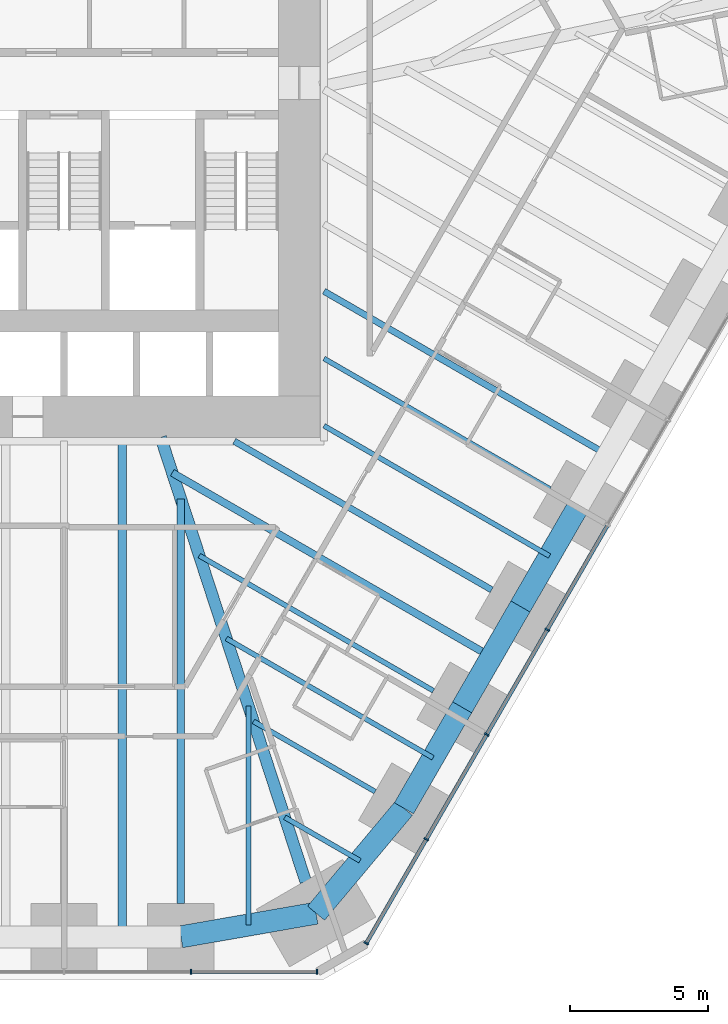
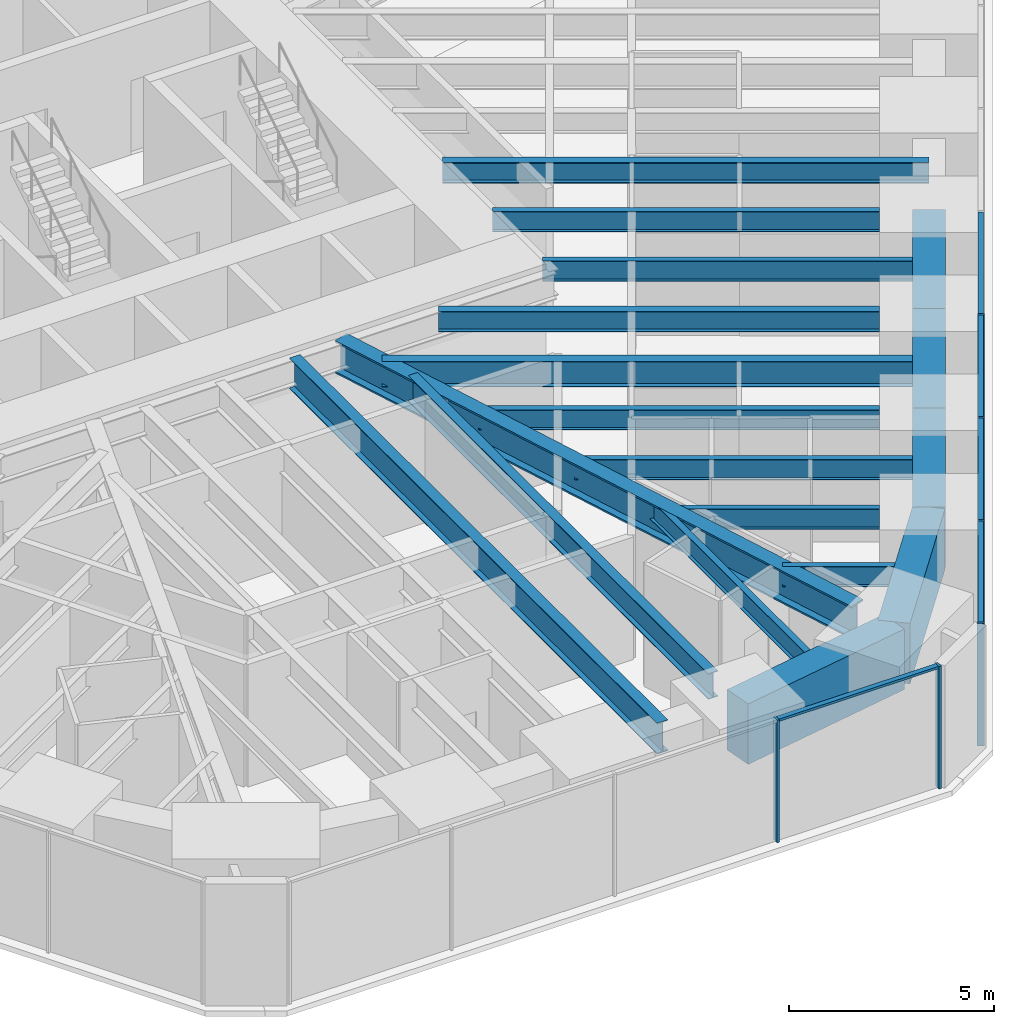
# One storey, part 5 of 17: 18 beams, 11 members, 2 elements without a shape of their own.
"""IFC4 building model written with IfcOpenShell, lengths in metres."""

from ifc_helpers import new_model, si_unit, direction, frame, origin, origin_2d, place, context, subcontext, project, spatial, rectangle, i_section, extrude, material, material_profile, profile_set, type_object, element, aggregate, save


model = new_model("IFC4")

# Units and contexts
model_context = context("Model", 3, precision=1e-05, world=origin(), true_north=direction((0.0, 1.0)))
body_context = subcontext(model_context, "Body", "Model", "MODEL_VIEW")
ifc_project = project(units=[si_unit("LENGTHUNIT", "METRE"), si_unit("AREAUNIT", "SQUARE_METRE"), si_unit("VOLUMEUNIT", "CUBIC_METRE"), si_unit("PLANEANGLEUNIT", "RADIAN"), si_unit("MASSUNIT", "GRAM", prefix="KILO")], contexts=[model_context])

# Site, building, storey
site_placement = place(None, origin())
site = spatial("IfcSite", under=ifc_project, at=site_placement, CompositionType="ELEMENT")
building_placement = place(site_placement, origin())
building = spatial("IfcBuilding", under=site, at=building_placement, Name="Sandreach Pilgrim Tower", CompositionType="ELEMENT")
storey_placement = place(building_placement, frame((0.0, 0.0, 26.800048828125)))
storey = spatial("IfcBuildingStorey", under=building, at=storey_placement, Name="L05", CompositionType="ELEMENT", Elevation=26.800048828125)

# Curtain wall, members
ifc_material_1 = material(Name="Aluminium framed curtain wall", Category="aluminium")
curtain_wall_type = type_object("IfcCurtainWallType", Name="Hostel tower curtain wall", PredefinedType="NOTDEFINED", material=ifc_material_1)
curtain_wall_1_placement = place(storey_placement, origin())
curtain_wall_1 = element("IfcCurtainWall", 1, at=curtain_wall_1_placement, inside=storey, type_object=curtain_wall_type, Name="CW-1 L05 SE", PredefinedType="NOTDEFINED")
ifc_material_2 = material(Name="Aluminium extrusion", Category="aluminium")
ifc_material_profile_1 = material_profile(ifc_material_2, rectangle(XDim=0.06494140625, YDim=0.179931640625, at=origin_2d()), Name="CW-1M 65X180")
ifc_profile_set_1 = profile_set([ifc_material_profile_1], Name="Aluminium extrusion")
member_type_1 = type_object("IfcMemberType", Name="CW-1 mullion", PredefinedType="MULLION", material=ifc_profile_set_1)
member_1_placement = place(storey_placement, frame((17.46142578125, -17.6533203125, 0.0), z_axis=(0.0, 0.0, 1.0), x_axis=(-0.5, -0.866025403784, 0.0)))
member_1 = element("IfcMember", 2, at=member_1_placement, type_object=member_type_1, Name="CW-1 mullion 7", PredefinedType="MULLION", context=body_context, shape_type="SweptSolid", body=[
    extrude(rectangle(XDim=0.06494140625, YDim=0.179931640625, at=origin_2d()), origin(), (0.0, 0.0, 1.0), 3.639892578125),
])
member_2_placement = place(storey_placement, frame((15.275634765625, -21.439208984375, 0.0), z_axis=(0.0, 0.0, 1.0), x_axis=(-0.5, -0.866025403784, 0.0)))
member_2 = element("IfcMember", 3, at=member_2_placement, type_object=member_type_1, Name="CW-1 mullion 8", PredefinedType="MULLION", context=body_context, shape_type="SweptSolid", body=[
    extrude(rectangle(XDim=0.06494140625, YDim=0.179931640625, at=origin_2d()), origin(), (0.0, 0.0, 1.0), 3.639892578125),
])
member_3_placement = place(storey_placement, frame((13.08984375, -25.22509765625, 0.0), z_axis=(0.0, 0.0, 1.0), x_axis=(-0.5, -0.866025403784, 0.0)))
member_3 = element("IfcMember", 4, at=member_3_placement, type_object=member_type_1, Name="CW-1 mullion 9", PredefinedType="MULLION", context=body_context, shape_type="SweptSolid", body=[
    extrude(rectangle(XDim=0.06494140625, YDim=0.179931640625, at=origin_2d()), origin(), (0.0, 0.0, 1.0), 3.639892578125),
])
member_4_placement = place(storey_placement, frame((10.92041015625, -28.982666015625, 0.0), z_axis=(0.0, 0.0, 1.0), x_axis=(-0.5, -0.866025403784, 0.0)))
member_4 = element("IfcMember", 5, at=member_4_placement, type_object=member_type_1, Name="CW-1 mullion 10", PredefinedType="MULLION", context=body_context, shape_type="SweptSolid", body=[
    extrude(rectangle(XDim=0.06494140625, YDim=0.179931640625, at=origin_2d()), origin(), (0.0, 0.0, 1.0), 3.639892578125),
])

curtain_wall_2_placement = place(storey_placement, origin())
curtain_wall_2 = element("IfcCurtainWall", 6, at=curtain_wall_2_placement, inside=storey, type_object=curtain_wall_type, Name="CW-1 L05 S", PredefinedType="NOTDEFINED")
member_5_placement = place(storey_placement, frame((9.1396484375, -30.010986328125, 0.0), z_axis=(0.0, 0.0, 1.0), x_axis=(-1.0, 0.0, 0.0)))
member_5 = element("IfcMember", 7, at=member_5_placement, type_object=member_type_1, Name="CW-1 mullion 1", PredefinedType="MULLION", context=body_context, shape_type="SweptSolid", body=[
    extrude(rectangle(XDim=0.06494140625, YDim=0.179931640625, at=origin_2d()), origin(), (0.0, 0.0, 1.0), 3.639892578125),
])
member_6_placement = place(storey_placement, frame((4.5859375, -30.010986328125, 0.0), z_axis=(0.0, 0.0, 1.0), x_axis=(-1.0, 0.0, 0.0)))
member_6 = element("IfcMember", 8, at=member_6_placement, type_object=member_type_1, Name="CW-1 mullion 2", PredefinedType="MULLION", context=body_context, shape_type="SweptSolid", body=[
    extrude(rectangle(XDim=0.06494140625, YDim=0.179931640625, at=origin_2d()), origin(), (0.0, 0.0, 1.0), 3.639892578125),
])

# Member
ifc_material_3 = material(Name="Aluminium extrusion", Category="aluminium")
ifc_material_profile_2 = material_profile(ifc_material_3, rectangle(XDim=0.139892578125, YDim=0.070068359375, at=origin_2d()), Name="CW-1T 140X70")
ifc_profile_set_2 = profile_set([ifc_material_profile_2], Name="Aluminium extrusion")
member_type_2 = type_object("IfcMemberType", Name="CW-1 transom", PredefinedType="USERDEFINED", material=ifc_profile_set_2)
member_7_placement = place(storey_placement, frame((19.631103515625, -13.8955078125, 3.60498046875), z_axis=(-0.500016891966, -0.866015650984, 0.0), x_axis=(0.866015650984, -0.500016891966, 0.0)))
member_7 = element("IfcMember", 9, at=member_7_placement, type_object=member_type_2, Name="CW-1 head transom 6", ObjectType="TRANSOM", PredefinedType="USERDEFINED", context=body_context, shape_type="SweptSolid", body=[
    extrude(rectangle(XDim=0.139892578125, YDim=0.070068359375, at=origin_2d()), origin(), (0.0, 0.0, 1.0), 4.306396484375),
])

member_8_placement = place(storey_placement, frame((17.4453125, -17.681396484375, 3.60498046875), z_axis=(-0.500016891966, -0.866015650984, 0.0), x_axis=(0.866015650984, -0.500016891966, 0.0)))
member_8 = element("IfcMember", 10, at=member_8_placement, type_object=member_type_2, Name="CW-1 head transom 7", ObjectType="TRANSOM", PredefinedType="USERDEFINED", context=body_context, shape_type="SweptSolid", body=[
    extrude(rectangle(XDim=0.139892578125, YDim=0.070068359375, at=origin_2d()), origin(), (0.0, 0.0, 1.0), 4.306396484375),
])

member_9_placement = place(storey_placement, frame((15.259521484375, -21.46728515625, 3.60498046875), z_axis=(-0.500016891966, -0.866015650984, 0.0), x_axis=(0.866015650984, -0.500016891966, 0.0)))
member_9 = element("IfcMember", 11, at=member_9_placement, type_object=member_type_2, Name="CW-1 head transom 8", ObjectType="TRANSOM", PredefinedType="USERDEFINED", context=body_context, shape_type="SweptSolid", body=[
    extrude(rectangle(XDim=0.139892578125, YDim=0.070068359375, at=origin_2d()), origin(), (0.0, 0.0, 1.0), 4.306396484375),
])

member_10_placement = place(storey_placement, frame((13.07373046875, -25.253173828125, 3.60498046875), z_axis=(-0.500033953635, -0.866005799756, 0.0), x_axis=(0.866005799756, -0.500033953635, 0.0)))
member_10 = element("IfcMember", 12, at=member_10_placement, type_object=member_type_2, Name="CW-1 head transom 9", ObjectType="TRANSOM", PredefinedType="USERDEFINED", context=body_context, shape_type="SweptSolid", body=[
    extrude(rectangle(XDim=0.139892578125, YDim=0.070068359375, at=origin_2d()), origin(), (0.0, 0.0, 1.0), 4.274169921875),
])

aggregate(curtain_wall_1, [member_1, member_2, member_3, member_4, member_7, member_8, member_9, member_10])

member_11_placement = place(storey_placement, frame((9.107177734375, -30.010986328125, 3.60498046875), z_axis=(-1.0, 0.0, 0.0), x_axis=(0.0, -1.0, 0.0)))
member_11 = element("IfcMember", 13, at=member_11_placement, type_object=member_type_2, Name="CW-1 head transom 1", ObjectType="TRANSOM", PredefinedType="USERDEFINED", context=body_context, shape_type="SweptSolid", body=[
    extrude(rectangle(XDim=0.139892578125, YDim=0.070068359375, at=origin_2d()), origin(), (0.0, 0.0, 1.0), 4.488525390625),
])

aggregate(curtain_wall_2, [member_5, member_6, member_11])

# Beams
ifc_material_4 = material(Name="Steel ASTM A992 Grade 50", Category="steel")
ifc_material_profile_3 = material_profile(ifc_material_4, i_section(OverallWidth=0.424072265625, OverallDepth=0.965087890625, WebThickness=0.028564453125, FlangeThickness=0.051025390625, at=origin_2d()), Name="W36X361")
ifc_profile_set_3 = profile_set([ifc_material_profile_3], Name="Steel ASTM A992 Grade 50")
beam_type_1 = type_object("IfcBeamType", Name="Corner girder W36X361", PredefinedType="BEAM", material=ifc_profile_set_3)
beam_1_placement = place(storey_placement, frame((8.73388671875, -26.756103515625, 3.157470703125), z_axis=(-0.310315410754, 0.950633654911, 0.0), x_axis=(-0.950633654911, -0.310315410754, 0.0)))
element("IfcBeam", 14, at=beam_1_placement, inside=storey, type_object=beam_type_1, Name="BM L05 CG22", PredefinedType="BEAM", context=body_context, shape_type="SweptSolid", body=[
    extrude(i_section(OverallWidth=0.424072265625, OverallDepth=0.965087890625, WebThickness=0.028564453125, FlangeThickness=0.051025390625, at=origin_2d()), origin(), (0.0, 0.0, 1.0), 16.889892578125),
])
ifc_material_5 = material(Name="Steel ASTM A992 Grade 50", Category="steel")
ifc_material_profile_4 = material_profile(ifc_material_5, i_section(OverallWidth=0.1787109375, OverallDepth=0.60205078125, WebThickness=0.010986328125, FlangeThickness=0.014892578125, at=origin_2d()), Name="W24X62")
ifc_profile_set_4 = profile_set([ifc_material_profile_4], Name="Steel ASTM A992 Grade 50")
beam_type_2 = type_object("IfcBeamType", Name="Floor beam W24X62", PredefinedType="BEAM", material=ifc_profile_set_4)
beam_2_placement = place(storey_placement, frame((17.557373046875, -12.5673828125, 3.3388671875), z_axis=(-0.866020839647, 0.500007905235, 0.0), x_axis=(-0.500007905235, -0.866020839647, 0.0)))
element("IfcBeam", 15, at=beam_2_placement, inside=storey, type_object=beam_type_2, Name="BM L05 F18", PredefinedType="BEAM", context=body_context, shape_type="SweptSolid", body=[
    extrude(i_section(OverallWidth=0.1787109375, OverallDepth=0.60205078125, WebThickness=0.010986328125, FlangeThickness=0.014892578125, at=origin_2d()), origin(), (0.0, 0.0, 1.0), 9.427001953125),
])
beam_3_placement = place(storey_placement, frame((13.347412109375, -19.859130859375, 3.3388671875), z_axis=(-0.866025751498, 0.499999397742, 0.0), x_axis=(-0.499999397742, -0.866025751498, 0.0)))
element("IfcBeam", 16, at=beam_3_placement, inside=storey, type_object=beam_type_2, Name="BM L05 F20", PredefinedType="BEAM", context=body_context, shape_type="SweptSolid", body=[
    extrude(i_section(OverallWidth=0.1787109375, OverallDepth=0.60205078125, WebThickness=0.010986328125, FlangeThickness=0.014892578125, at=origin_2d()), origin(), (0.0, 0.0, 1.0), 9.767578125),
])
beam_4_placement = place(storey_placement, frame((11.242431640625, -23.5048828125, 3.3388671875), z_axis=(-0.866027897259, 0.49999568115, 0.0), x_axis=(-0.49999568115, -0.866027897259, 0.0)))
element("IfcBeam", 17, at=beam_4_placement, inside=storey, type_object=beam_type_2, Name="BM L05 F21", PredefinedType="BEAM", context=body_context, shape_type="SweptSolid", body=[
    extrude(i_section(OverallWidth=0.1787109375, OverallDepth=0.60205078125, WebThickness=0.010986328125, FlangeThickness=0.014892578125, at=origin_2d()), origin(), (0.0, 0.0, 1.0), 5.0791015625),
])
beam_5_placement = place(storey_placement, frame((17.5439453125, -14.990234375, 3.3388671875), z_axis=(-0.86602359238, 0.500003137431, 0.0), x_axis=(-0.500003137431, -0.86602359238, 0.0)))
element("IfcBeam", 18, at=beam_5_placement, inside=storey, type_object=beam_type_2, Name="BM L05 FM18", PredefinedType="BEAM", context=body_context, shape_type="SweptSolid", body=[
    extrude(i_section(OverallWidth=0.1787109375, OverallDepth=0.60205078125, WebThickness=0.010986328125, FlangeThickness=0.014892578125, at=origin_2d()), origin(), (0.0, 0.0, 1.0), 9.41162109375),
])
beam_6_placement = place(storey_placement, frame((13.334228515625, -22.281982421875, 3.3388671875), z_axis=(-0.86602717807, 0.499996926835, 0.0), x_axis=(-0.499996926835, -0.86602717807, 0.0)))
element("IfcBeam", 19, at=beam_6_placement, inside=storey, type_object=beam_type_2, Name="BM L05 FM20", PredefinedType="BEAM", context=body_context, shape_type="SweptSolid", body=[
    extrude(i_section(OverallWidth=0.1787109375, OverallDepth=0.60205078125, WebThickness=0.010986328125, FlangeThickness=0.014892578125, at=origin_2d()), origin(), (0.0, 0.0, 1.0), 8.62353515625),
])
beam_7_placement = place(storey_placement, frame((10.694091796875, -26.0009765625, 3.3388671875), z_axis=(-0.866023718453, 0.500002919068, 0.0), x_axis=(-0.500002919068, -0.866023718453, 0.0)))
element("IfcBeam", 20, at=beam_7_placement, inside=storey, type_object=beam_type_2, Name="BM L05 FM21", PredefinedType="BEAM", context=body_context, shape_type="SweptSolid", body=[
    extrude(i_section(OverallWidth=0.1787109375, OverallDepth=0.60205078125, WebThickness=0.010986328125, FlangeThickness=0.014892578125, at=origin_2d()), origin(), (0.0, 0.0, 1.0), 3.1396484375),
])
beam_8_placement = place(storey_placement, frame((6.664306640625, -28.323974609375, 3.3388671875), z_axis=(0.0, 1.0, 0.0), x_axis=(-1.0, 0.0, 0.0)))
element("IfcBeam", 21, at=beam_8_placement, inside=storey, type_object=beam_type_2, Name="BM L05 FM22", PredefinedType="BEAM", context=body_context, shape_type="SweptSolid", body=[
    extrude(i_section(OverallWidth=0.1787109375, OverallDepth=0.60205078125, WebThickness=0.010986328125, FlangeThickness=0.014892578125, at=origin_2d()), origin(), (0.0, 0.0, 1.0), 7.907958984375),
])
ifc_material_6 = material(Name="Steel ASTM A992 Grade 50", Category="steel")
ifc_material_profile_5 = material_profile(ifc_material_6, i_section(OverallWidth=0.23046875, OverallDepth=0.6171875, WebThickness=0.01318359375, FlangeThickness=0.022216796875, at=origin_2d()), Name="W24X94")
ifc_profile_set_5 = profile_set([ifc_material_profile_5], Name="Steel ASTM A992 Grade 50")
beam_type_3 = type_object("IfcBeamType", Name="Floor beam W24X94", PredefinedType="BEAM", material=ifc_profile_set_5)
beam_9_placement = place(storey_placement, frame((15.452392578125, -16.213134765625, 3.331298828125), z_axis=(-0.866028486751, 0.499994660107, 0.0), x_axis=(-0.499994660107, -0.866028486751, 0.0)))
element("IfcBeam", 22, at=beam_9_placement, inside=storey, type_object=beam_type_3, Name="BM L05 F19", PredefinedType="BEAM", context=body_context, shape_type="SweptSolid", body=[
    extrude(i_section(OverallWidth=0.23046875, OverallDepth=0.6171875, WebThickness=0.01318359375, FlangeThickness=0.022216796875, at=origin_2d()), origin(), (0.0, 0.0, 1.0), 10.73974609375),
])
beam_10_placement = place(storey_placement, frame((19.64892578125, -11.34423828125, 3.331298828125), z_axis=(-0.866032123691, 0.4999883606, 0.0), x_axis=(-0.4999883606, -0.866032123691, 0.0)))
element("IfcBeam", 23, at=beam_10_placement, inside=storey, type_object=beam_type_3, Name="BM L05 FM17", PredefinedType="BEAM", context=body_context, shape_type="SweptSolid", body=[
    extrude(i_section(OverallWidth=0.23046875, OverallDepth=0.6171875, WebThickness=0.01318359375, FlangeThickness=0.022216796875, at=origin_2d()), origin(), (0.0, 0.0, 1.0), 11.842041015625),
])
ifc_material_7 = material(Name="Steel ASTM A992 Grade 50", Category="steel")
ifc_material_profile_6 = material_profile(ifc_material_7, i_section(OverallWidth=0.2666015625, OverallDepth=0.761962890625, WebThickness=0.014404296875, FlangeThickness=0.021484375, at=origin_2d()), Name="W30X116")
ifc_profile_set_6 = profile_set([ifc_material_profile_6], Name="Steel ASTM A992 Grade 50")
beam_type_4 = type_object("IfcBeamType", Name="Floor beam W30X116", PredefinedType="BEAM", material=ifc_profile_set_6)
beam_11_placement = place(storey_placement, frame((4.222412109375, -27.55078125, 3.259033203125), z_axis=(0.0, 1.0, 0.0), x_axis=(-1.0, 0.0, 0.0)))
element("IfcBeam", 24, at=beam_11_placement, inside=storey, type_object=beam_type_4, Name="BM L05 F23", PredefinedType="BEAM", context=body_context, shape_type="SweptSolid", body=[
    extrude(i_section(OverallWidth=0.2666015625, OverallDepth=0.761962890625, WebThickness=0.014404296875, FlangeThickness=0.021484375, at=origin_2d()), origin(), (0.0, 0.0, 1.0), 14.61572265625),
])
beam_12_placement = place(storey_placement, frame((15.43896484375, -18.63623046875, 3.259033203125), z_axis=(-0.866021271874, 0.50000715661, 0.0), x_axis=(-0.50000715661, -0.866021271874, 0.0)))
element("IfcBeam", 25, at=beam_12_placement, inside=storey, type_object=beam_type_4, Name="BM L05 FM19", PredefinedType="BEAM", context=body_context, shape_type="SweptSolid", body=[
    extrude(i_section(OverallWidth=0.2666015625, OverallDepth=0.761962890625, WebThickness=0.014404296875, FlangeThickness=0.021484375, at=origin_2d()), origin(), (0.0, 0.0, 1.0), 13.311767578125),
])
ifc_material_8 = material(Name="Steel ASTM A992 Grade 50", Category="steel")
ifc_material_profile_7 = material_profile(ifc_material_8, i_section(OverallWidth=0.3046875, OverallDepth=0.914306640625, WebThickness=0.0166015625, FlangeThickness=0.02587890625, at=origin_2d()), Name="W36X160")
ifc_profile_set_7 = profile_set([ifc_material_profile_7], Name="Steel ASTM A992 Grade 50")
beam_type_5 = type_object("IfcBeamType", Name="Floor beam W36X160", PredefinedType="BEAM", material=ifc_profile_set_7)
beam_13_placement = place(storey_placement, frame((2.111083984375, -28.7509765625, 3.182861328125), z_axis=(0.0, 1.0, 0.0), x_axis=(-1.0, 0.0, 0.0)))
element("IfcBeam", 26, at=beam_13_placement, inside=storey, type_object=beam_type_5, Name="BM L05 FM23", PredefinedType="BEAM", context=body_context, shape_type="SweptSolid", body=[
    extrude(i_section(OverallWidth=0.3046875, OverallDepth=0.914306640625, WebThickness=0.0166015625, FlangeThickness=0.02587890625, at=origin_2d()), origin(), (0.0, 0.0, 1.0), 17.90771484375),
])
ifc_material_9 = material(Name="Concrete 10000 psi", Category="concrete")
ifc_material_profile_8 = material_profile(ifc_material_9, rectangle(XDim=0.800048828125, YDim=1.800048828125, at=origin_2d()), Name="RC800X1800")
ifc_profile_set_8 = profile_set([ifc_material_profile_8], Name="Concrete 10000 psi")
beam_type_6 = type_object("IfcBeamType", Name="Spandrel beam RC800X1800", PredefinedType="SPANDREL", material=ifc_profile_set_8)
beam_14_placement = place(storey_placement, frame((18.596435546875, -13.167236328125, 2.739990234375), z_axis=(-0.499993523031, -0.866029143232, 0.0), x_axis=(0.866029143232, -0.499993523031, 0.0)))
element("IfcBeam", 27, at=beam_14_placement, inside=storey, type_object=beam_type_6, Name="BM L05 SP18", PredefinedType="SPANDREL", context=body_context, shape_type="SweptSolid", body=[
    extrude(rectangle(XDim=0.800048828125, YDim=1.800048828125, at=origin_2d()), origin(), (0.0, 0.0, 1.0), 4.2099609375),
])
beam_15_placement = place(storey_placement, frame((16.491455078125, -16.813232421875, 2.739990234375), z_axis=(-0.499975138639, -0.866039757022, 0.0), x_axis=(0.866039757022, -0.499975138639, 0.0)))
element("IfcBeam", 28, at=beam_15_placement, inside=storey, type_object=beam_type_6, Name="BM L05 SP19", PredefinedType="SPANDREL", context=body_context, shape_type="SweptSolid", body=[
    extrude(rectangle(XDim=0.800048828125, YDim=1.800048828125, at=origin_2d()), origin(), (0.0, 0.0, 1.0), 4.209716796875),
])
beam_16_placement = place(storey_placement, frame((14.38671875, -20.458984375, 2.739990234375), z_axis=(-0.499993523031, -0.866029143232, 0.0), x_axis=(0.866029143232, -0.499993523031, 0.0)))
element("IfcBeam", 29, at=beam_16_placement, inside=storey, type_object=beam_type_6, Name="BM L05 SP20", PredefinedType="SPANDREL", context=body_context, shape_type="SweptSolid", body=[
    extrude(rectangle(XDim=0.800048828125, YDim=1.800048828125, at=origin_2d()), origin(), (0.0, 0.0, 1.0), 4.2099609375),
])
beam_17_placement = place(storey_placement, frame((12.28173828125, -24.10498046875, 2.739990234375), z_axis=(-0.642008193922, -0.766697775488, 0.0), x_axis=(0.766697775488, -0.642008193922, 0.0)))
element("IfcBeam", 30, at=beam_17_placement, inside=storey, type_object=beam_type_6, Name="BM L05 SP21", PredefinedType="SPANDREL", context=body_context, shape_type="SweptSolid", body=[
    extrude(rectangle(XDim=0.800048828125, YDim=1.800048828125, at=origin_2d()), origin(), (0.0, 0.0, 1.0), 4.94580078125),
])
beam_18_placement = place(storey_placement, frame((9.1064453125, -27.89697265625, 2.739990234375), z_axis=(-0.985054495501, -0.17224297052, 0.0), x_axis=(0.17224297052, -0.985054495501, 0.0)))
element("IfcBeam", 31, at=beam_18_placement, inside=storey, type_object=beam_type_6, Name="BM L05 SP22", PredefinedType="SPANDREL", context=body_context, shape_type="SweptSolid", body=[
    extrude(rectangle(XDim=0.800048828125, YDim=1.800048828125, at=origin_2d()), origin(), (0.0, 0.0, 1.0), 4.958251953125),
])

save(model, "model.ifc")
